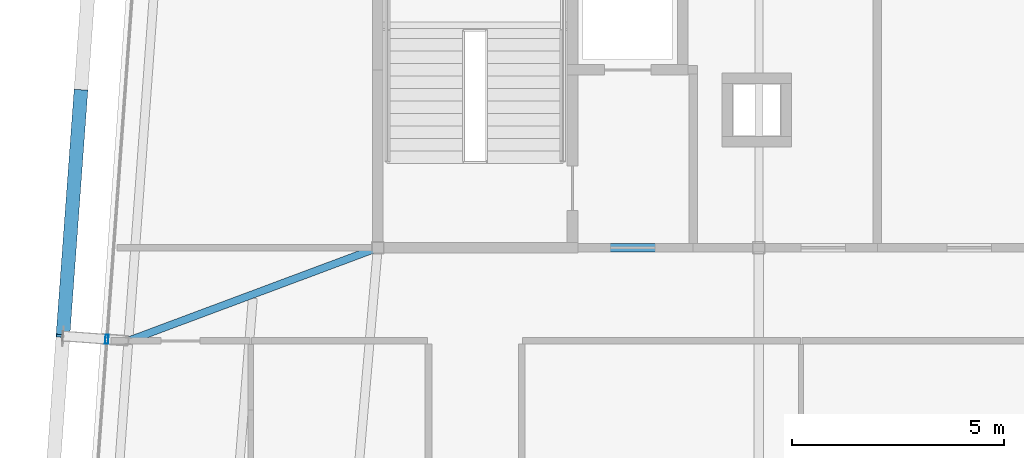
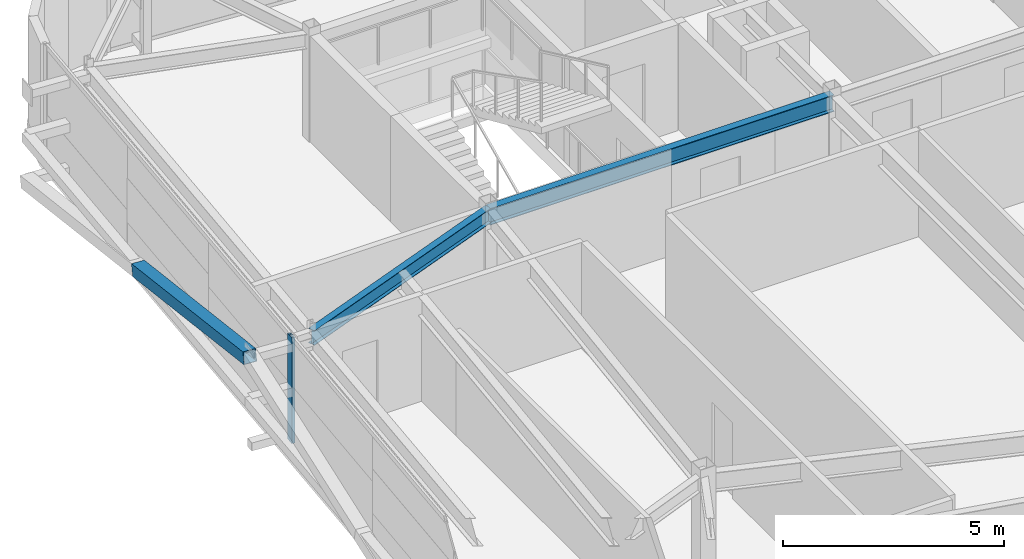
# One storey, part 14 of 37: 2 beams, 2 members, 1 element without a shape of its own.
"""IFC4 building model written with IfcOpenShell, lengths in metres."""

from ifc_helpers import new_model, si_unit, direction, frame, origin, origin_2d, place, context, subcontext, project, spatial, hollow_rectangle, i_section, extrude, source, transform, mapped, material, layer, layer_set, material_profile, profile_set, type_object, element, aggregate, save


model = new_model("IFC4")

# Units and contexts
model_context = context("Model", 3, precision=1e-05, world=origin(), true_north=direction((0.0, 1.0)))
body_context = subcontext(model_context, "Body", "Model", "MODEL_VIEW")
ifc_project = project(units=[si_unit("LENGTHUNIT", "METRE"), si_unit("AREAUNIT", "SQUARE_METRE"), si_unit("VOLUMEUNIT", "CUBIC_METRE"), si_unit("PLANEANGLEUNIT", "RADIAN"), si_unit("MASSUNIT", "GRAM", prefix="KILO")], contexts=[model_context])

# Site, building, storey
site_placement = place(None, origin())
site = spatial("IfcSite", under=ifc_project, at=site_placement, CompositionType="ELEMENT")
building_placement = place(site_placement, origin())
building = spatial("IfcBuilding", under=site, at=building_placement, Name="Taldren Reach Tower", CompositionType="ELEMENT")
storey_placement = place(building_placement, frame((0.0, 0.0, 211.39990234375)))
storey = spatial("IfcBuildingStorey", under=building, at=storey_placement, Name="L64", CompositionType="ELEMENT", Elevation=211.39990234375)

# Beams
ifc_material_1 = material(Name="Steel Gr 350 (350PLUS)", Category="steel")
ifc_material_profile_1 = material_profile(ifc_material_1, i_section(OverallWidth=0.19091796875, OverallDepth=0.4599609375, WebThickness=0.010009765625, FlangeThickness=0.01611328125, at=origin_2d()), Name="460UB82.1")
ifc_profile_set_1 = profile_set([ifc_material_profile_1], Name="Steel Gr 350 (350PLUS)")
beam_type_1 = type_object("IfcBeamType", Name="BM-UB460A", PredefinedType="BEAM", material=ifc_profile_set_1)
shared_shape_1 = source(origin(), body_context, "Body", "SweptSolid", [
    extrude(i_section(OverallWidth=0.19091796875, OverallDepth=0.4599609375, WebThickness=0.010009765625, FlangeThickness=0.01611328125, at=origin_2d()), origin(), (0.0, 0.0, 1.0), 9.0),
])
beam_1_placement = place(storey_placement, frame((19.0, 24.0, 2.7001953125), z_axis=(1.0, 0.0, 0.0), x_axis=(0.0, 1.0, 0.0)))
element("IfcBeam", 1, at=beam_1_placement, inside=storey, type_object=beam_type_1, Name="Core-spine girder L64-SP01", PredefinedType="BEAM", context=body_context, shape_type="MappedRepresentation", body=[
    mapped(shared_shape_1, transform((0.0, 0.0, 0.0), scale=1.0)),
])
ifc_material_profile_2 = material_profile(ifc_material_1, i_section(OverallWidth=0.177978515625, OverallDepth=0.406005859375, WebThickness=0.0078125, FlangeThickness=0.0126953125, at=origin_2d()), Name="410UB59.7")
ifc_profile_set_2 = profile_set([ifc_material_profile_2], Name="Steel Gr 350 (350PLUS)")
beam_type_2 = type_object("IfcBeamType", Name="BM-UB410", PredefinedType="BEAM", material=ifc_profile_set_2)
shared_shape_2 = source(origin(), body_context, "Body", "SweptSolid", [
    extrude(i_section(OverallWidth=0.177978515625, OverallDepth=0.406005859375, WebThickness=0.0078125, FlangeThickness=0.0126953125, at=origin_2d()), origin(), (0.0, 0.0, 1.0), 6.28857421875),
])
beam_2_placement = place(storey_placement, frame((19.0, 24.0, 2.72705078125), z_axis=(-0.936827605945, -0.349791418904, 0.0), x_axis=(0.349791418904, -0.936827605945, 0.0)))
element("IfcBeam", 2, at=beam_2_placement, inside=storey, type_object=beam_type_2, Name="Primary floor girder B5-W2 L64", PredefinedType="BEAM", context=body_context, shape_type="MappedRepresentation", body=[
    mapped(shared_shape_2, transform((0.0, 0.0, 0.0), scale=1.0)),
])

# Member
ifc_material_2 = material(Name="Steel Gr 450 (C450L0)", Category="steel")
ifc_material_profile_3 = material_profile(ifc_material_2, hollow_rectangle(XDim=0.324951171875, YDim=0.324951171875, WallThickness=0.0126953125, at=origin_2d()), Name="325x325x12.7SHS")
ifc_profile_set_3 = profile_set([ifc_material_profile_3], Name="Steel Gr 450 (C450L0)")
member_type_1 = type_object("IfcMemberType", Name="MB-BR324", PredefinedType="BRACE", material=ifc_profile_set_3)
shared_shape_3 = source(origin(), body_context, "Body", "SweptSolid", [
    extrude(hollow_rectangle(XDim=0.324951171875, YDim=0.324951171875, WallThickness=0.0126953125, at=origin_2d()), origin(), (0.0, 0.0, 1.0), 5.926025390625),
])
member_1_placement = place(storey_placement, frame((11.987548828125, 27.6982421875, 1.43505859375), z_axis=(-0.071685935393, -0.976123486939, 0.205046494513), x_axis=(0.997314185625, -0.073242167855, 0.0)))
element("IfcMember", 3, at=member_1_placement, inside=storey, type_object=member_type_1, Name="Exoskeleton Diagrid Brace B5-W2 L64", PredefinedType="BRACE", context=body_context, shape_type="MappedRepresentation", body=[
    mapped(shared_shape_3, transform((0.0, 0.0, 0.0), scale=1.0)),
])

# Curtain wall, member
ifc_material_3 = material(Name="Aluminium and Low-E Glass Unitised System", Category="aluminium")
ifc_layer = layer(ifc_material_3, 0.159912109375)
ifc_layer_set = layer_set([ifc_layer], Name="Aluminium and Low-E Glass Unitised System")
curtain_wall_type = type_object("IfcCurtainWallType", Name="CW-SYS-6", PredefinedType="NOTDEFINED", material=ifc_layer_set)
curtain_wall_placement = place(storey_placement, origin())
curtain_wall = element("IfcCurtainWall", 4, at=curtain_wall_placement, inside=storey, type_object=curtain_wall_type, Name="Unitised curtain wall CW-L64-W", PredefinedType="NOTDEFINED")
ifc_material_4 = material(Name="Anodised Aluminium 6063-T6", Category="aluminium")
ifc_material_profile_4 = material_profile(ifc_material_4, hollow_rectangle(XDim=0.074951171875, YDim=0.2099609375, WallThickness=0.00439453125, at=origin_2d()), Name="ALU-210x75x4.5RHS")
ifc_profile_set_4 = profile_set([ifc_material_profile_4], Name="Anodised Aluminium 6063-T6")
member_type_2 = type_object("IfcMemberType", Name="CW-MUL-200", PredefinedType="MULLION", material=ifc_profile_set_4)
shared_shape_4 = source(origin(), body_context, "Body", "SweptSolid", [
    extrude(hollow_rectangle(XDim=0.074951171875, YDim=0.2099609375, WallThickness=0.00439453125, at=origin_2d()), origin(), (0.0, 0.0, 1.0), 2.93017578125),
])
member_2_placement = place(storey_placement, frame((12.60009765625, 21.837646484375, 0.0), z_axis=(0.0, 0.0, 1.0), x_axis=(0.997314470951, -0.073238282558, 0.0)))
member_2 = element("IfcMember", 5, at=member_2_placement, type_object=member_type_2, Name="CW-6 mullion 2", PredefinedType="MULLION", context=body_context, shape_type="MappedRepresentation", body=[
    mapped(shared_shape_4, transform((0.0, 0.0, 0.0), scale=1.0)),
])
aggregate(curtain_wall, [member_2])

save(model, "model.ifc")
